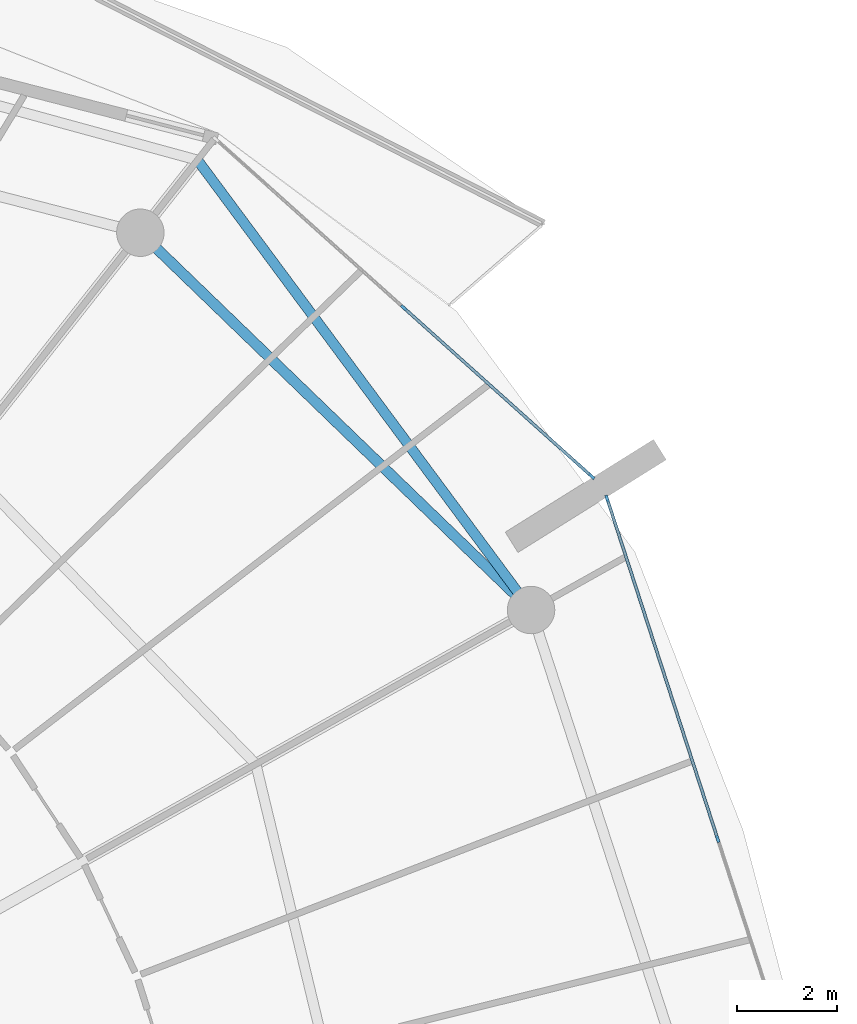
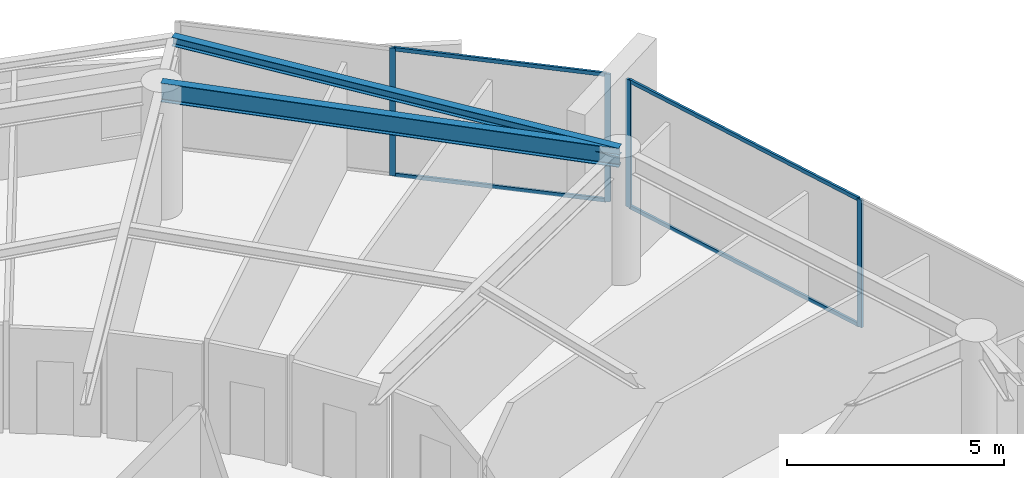
# One storey, part 15 of 30: 8 members, 2 beams, 2 elements without a shape of their own.
"""IFC4 building model written with IfcOpenShell, lengths in metres."""

import ifcopenshell
import ifcopenshell.guid

model = None  # the IFC model being written
_history = None  # IfcOwnerHistory: only IFC2X3 demands one
_inside = {}  # id of a spatial element -> (the spatial element, [elements in it])
_under = {}  # id of a project, library or spatial element -> (it, [spatial elements below it])
_declared = {}  # id of a project -> (the project, [libraries it declares])
_typed = {}  # id of a type object -> (the type object, [elements of that type])
_made_of = {}  # id of a material, layer set ... -> (it, [elements and type objects made of it])


def new_model(schema):
    """Start an empty IFC model of exactly this schema.

    Asked for "IFC4X3", IfcOpenShell would pick the latest addendum, in which some entities
    have other attributes; the version numbers below select the first issue.
    IFC2X3 requires an IfcOwnerHistory on every rooted entity: one is made here for all.
    """
    global model, _history
    if schema == "IFC4X3":
        model = ifcopenshell.file(schema_version=(4, 3, 0, 0))
    else:
        model = ifcopenshell.file(schema=schema)
    _inside.clear()
    _under.clear()
    _declared.clear()
    _typed.clear()
    _made_of.clear()
    _history = None
    if model.schema == "IFC2X3":
        org = make("IfcOrganization", Name="unknown")
        user = make(
            "IfcPersonAndOrganization",
            ThePerson=make("IfcPerson", FamilyName="unknown"),
            TheOrganization=org,
        )
        app = make(
            "IfcApplication",
            ApplicationDeveloper=org,
            Version="unknown",
            ApplicationFullName="unknown",
            ApplicationIdentifier="unknown",
        )
        _history = make(
            "IfcOwnerHistory",
            OwningUser=user,
            OwningApplication=app,
            ChangeAction="ADDED",
            CreationDate=0,
        )
    return model


def make(cls, **values):
    """One entity of the class cls with the attributes given. An attribute that is None is left unset."""
    return model.create_entity(
        cls, **{name: value for name, value in values.items() if value is not None}
    )


def rooted(cls, **values):
    """An entity with a GlobalId (a new one), such as an element, a storey or a relation."""
    return make(cls, GlobalId=ifcopenshell.guid.new(), OwnerHistory=_history, **values)


def si_unit(unit_type, name, prefix=None):
    """IfcSIUnit, for example si_unit("LENGTHUNIT", "METRE", prefix="MILLI")."""
    return make("IfcSIUnit", UnitType=unit_type, Prefix=prefix, Name=name)


def assignment(units):
    """IfcUnitAssignment: the units of a project."""
    return None if units is None else make("IfcUnitAssignment", Units=units)


def point(xyz):
    """IfcCartesianPoint."""
    return None if xyz is None else make("IfcCartesianPoint", Coordinates=xyz)


def direction(xyz):
    """IfcDirection."""
    return None if xyz is None else make("IfcDirection", DirectionRatios=xyz)


def frame(location, z_axis=None, x_axis=None):
    """IfcAxis2Placement3D, a coordinate frame: its origin and axes. An axis left out is left unset."""
    return make(
        "IfcAxis2Placement3D",
        Location=point(location),
        Axis=direction(z_axis),
        RefDirection=direction(x_axis),
    )


def frame_2d(location, x_axis=None):
    """IfcAxis2Placement2D, a coordinate frame in the plane: its origin and x axis."""
    return make(
        "IfcAxis2Placement2D", Location=point(location), RefDirection=direction(x_axis)
    )


def origin():
    """The frame at (0, 0, 0) with its axes left unset."""
    return frame((0.0, 0.0, 0.0))


def origin_2d():
    """The frame at (0, 0) in the plane with its x axis left unset."""
    return frame_2d((0.0, 0.0))


def place(relative_to, where):
    """IfcLocalPlacement: puts the frame where relative to a parent placement (None: the world)."""
    return make(
        "IfcLocalPlacement", PlacementRelTo=relative_to, RelativePlacement=where
    )


def context(
    kind, dimensions, precision=None, world=None, true_north=None, identifier=None
):
    """IfcGeometricRepresentationContext, for example the 3D "Model" context."""
    return make(
        "IfcGeometricRepresentationContext",
        ContextIdentifier=identifier,
        ContextType=kind,
        CoordinateSpaceDimension=dimensions,
        Precision=precision,
        WorldCoordinateSystem=world,
        TrueNorth=true_north,
    )


def subcontext(parent, identifier, kind, view, scale=None):
    """IfcGeometricRepresentationSubContext, for example "Body" below "Model"."""
    return make(
        "IfcGeometricRepresentationSubContext",
        ContextIdentifier=identifier,
        ContextType=kind,
        ParentContext=parent,
        TargetScale=scale,
        TargetView=view,
    )


def project(units=None, contexts=None):
    """IfcProject with its units and contexts."""
    return rooted(
        "IfcProject",
        Name="project",
        RepresentationContexts=contexts,
        UnitsInContext=assignment(units),
    )


def spatial(cls, under=None, at=None, **own):
    """A site, building, storey or space (cls), placed at a placement, below another one or the project."""
    s = rooted(cls, ObjectPlacement=at, **own)
    if under is not None:
        _under.setdefault(under.id(), (under, []))[1].append(s)
    return s


def profile(cls, at=None, kind="AREA", **sizes):
    """A parametric profile (cls). Its sizes go by their IFC names, for example OverallWidth=200.0."""
    return make(cls, ProfileType=kind, Position=at, **sizes)


def rectangle(**sizes):
    """IfcRectangleProfileDef."""
    return profile("IfcRectangleProfileDef", **sizes)


def i_section(**sizes):
    """IfcIShapeProfileDef."""
    return profile("IfcIShapeProfileDef", **sizes)


def extrude(swept, where, along, depth):
    """IfcExtrudedAreaSolid: the profile swept, set in the frame where, extruded along a direction by depth."""
    return make(
        "IfcExtrudedAreaSolid",
        SweptArea=swept,
        Position=where,
        ExtrudedDirection=direction(along),
        Depth=depth,
    )


def shape(context_of_items, identifier, shape_type, items):
    """IfcShapeRepresentation: the items that make up one representation, for example the "Body"."""
    return make(
        "IfcShapeRepresentation",
        ContextOfItems=context_of_items,
        RepresentationIdentifier=identifier,
        RepresentationType=shape_type,
        Items=items,
    )


def material(Name=None, Category=None):
    """IfcMaterial."""
    return make("IfcMaterial", Name=Name, Category=Category)


def layer(
    of_material, thickness, ventilated=None, Name=None, Category=None, Priority=None
):
    """IfcMaterialLayer: one layer of a wall or slab, of a material (None: an air gap)."""
    return make(
        "IfcMaterialLayer",
        Material=of_material,
        LayerThickness=thickness,
        IsVentilated=ventilated,
        Name=Name,
        Category=Category,
        Priority=Priority,
    )


def layer_set(layers, Name=None):
    """IfcMaterialLayerSet."""
    return make("IfcMaterialLayerSet", MaterialLayers=layers, LayerSetName=Name)


def material_profile(
    of_material, cross_section, Name=None, Category=None, Priority=None
):
    """IfcMaterialProfile: a cross section and its material."""
    return make(
        "IfcMaterialProfile",
        Name=Name,
        Material=of_material,
        Profile=cross_section,
        Priority=Priority,
        Category=Category,
    )


def profile_set(profiles, Name=None, composite=None):
    """IfcMaterialProfileSet."""
    return make(
        "IfcMaterialProfileSet",
        Name=Name,
        MaterialProfiles=profiles,
        CompositeProfile=composite,
    )


def made_of(thing, what):
    """Note that an element or type object is made of a material, layer set ...; save() writes the relation."""
    if what is not None:
        _made_of.setdefault(what.id(), (what, []))[1].append(thing)
    return thing


def type_object(cls, material=None, **own):
    """A type object (cls), such as IfcWallType, which elements share."""
    return made_of(rooted(cls, **own), material)


def element(
    cls,
    number,
    at=None,
    inside=None,
    cuts=None,
    type_object=None,
    material=None,
    context=None,
    identifier="Body",
    shape_type=None,
    held_by="IfcProductDefinitionShape",
    body=None,
    shapes=None,
    **own,
):
    """One element of the class cls, such as IfcWall. Its Tag is "e" and its number.

    at: its placement. inside: the storey or other place that contains it. cuts: it is an
    opening in that element (IfcRelVoidsElement). A single representation is given by context,
    identifier, shape_type and body (its items); several are given by shapes. held_by: the class
    of the entity that holds the representations. save() writes the other relations.
    """
    e = rooted(cls, Tag="e%d" % number, ObjectPlacement=at, **own)
    if body is not None:
        shapes = [shape(context, identifier, shape_type, body)]
    if shapes is not None:
        e.Representation = make(held_by, Representations=shapes)
    if inside is not None:
        _inside.setdefault(inside.id(), (inside, []))[1].append(e)
    if cuts is not None:
        rooted(
            "IfcRelVoidsElement", RelatingBuildingElement=cuts, RelatedOpeningElement=e
        )
    if type_object is not None:
        _typed.setdefault(type_object.id(), (type_object, []))[1].append(e)
    return made_of(e, material)


def aggregate(whole, parts):
    """IfcRelAggregates: a whole, such as a stair, and the parts it consists of."""
    return rooted("IfcRelAggregates", RelatingObject=whole, RelatedObjects=parts)


def save(model, path):
    """Write the relations noted so far, then the file.

    IfcRelAggregates (storeys below a building ...), IfcRelContainedInSpatialStructure (elements
    in a storey), IfcRelDefinesByType, IfcRelAssociatesMaterial and IfcRelDeclares: one each for
    every whole, place, type object, material and project.
    """
    for whole, parts in _under.values():
        aggregate(whole, parts)
    for where, things in _inside.values():
        rooted(
            "IfcRelContainedInSpatialStructure",
            RelatedElements=things,
            RelatingStructure=where,
        )
    for kind, things in _typed.values():
        rooted("IfcRelDefinesByType", RelatedObjects=things, RelatingType=kind)
    for what, things in _made_of.values():
        rooted("IfcRelAssociatesMaterial", RelatedObjects=things, RelatingMaterial=what)
    for by, libraries in _declared.values():
        rooted("IfcRelDeclares", RelatingContext=by, RelatedDefinitions=libraries)
    model.write(path)


model = new_model("IFC4")

# Units and contexts
model_context = context("Model", 3, precision=1e-05, world=origin(), true_north=direction((0.0, 1.0)))
body_context = subcontext(model_context, "Body", "Model", "MODEL_VIEW")
ifc_project = project(units=[si_unit("LENGTHUNIT", "METRE"), si_unit("AREAUNIT", "SQUARE_METRE"), si_unit("VOLUMEUNIT", "CUBIC_METRE"), si_unit("PLANEANGLEUNIT", "RADIAN"), si_unit("MASSUNIT", "GRAM", prefix="KILO")], contexts=[model_context])

# Site, building, storey
site_placement = place(None, origin())
site = spatial("IfcSite", under=ifc_project, at=site_placement, CompositionType="ELEMENT")
building_placement = place(site_placement, origin())
building = spatial("IfcBuilding", under=site, at=building_placement, Name="Kazma Halo Residences", CompositionType="ELEMENT")
storey_placement = place(building_placement, frame((0.0, 0.0, 236.699951171875)))
storey = spatial("IfcBuildingStorey", under=building, at=storey_placement, Name="L59", CompositionType="ELEMENT", Elevation=236.699951171875)

# Beams
ifc_material_1 = material(Name="Steel S355", Category="steel")
ifc_material_profile_1 = material_profile(ifc_material_1, i_section(OverallWidth=0.201904296875, OverallDepth=0.2470703125, WebThickness=0.00732421875, FlangeThickness=0.010986328125, FilletRadius=0.011962890625, at=origin_2d()), Name="W250x49.1")
ifc_profile_set_1 = profile_set([ifc_material_profile_1], Name="Steel S355")
beam_type_1 = type_object("IfcBeamType", Name="BM-BAL-CANT", PredefinedType="BEAM", material=ifc_profile_set_1)
beam_1_placement = place(storey_placement, frame((72.67041015625, 55.81591796875, 3.466552734375), z_axis=(-0.595556062515, 0.803313747176, 0.0), x_axis=(-0.803313747176, -0.595556062515, 0.0)))
element("IfcBeam", 1, at=beam_1_placement, inside=storey, type_object=beam_type_1, Name="L59 wave-balcony lead tie beam 01", PredefinedType="BEAM", context=body_context, shape_type="SweptSolid", body=[
    extrude(i_section(OverallWidth=0.201904296875, OverallDepth=0.2470703125, WebThickness=0.00732421875, FlangeThickness=0.010986328125, FilletRadius=0.011962890625, at=origin_2d()), origin(), (0.0, 0.0, 1.0), 11.213134765625),
])
ifc_material_profile_2 = material_profile(ifc_material_1, i_section(OverallWidth=0.208984375, OverallDepth=0.532958984375, WebThickness=0.01025390625, FlangeThickness=0.015625, FilletRadius=0.01611328125, at=origin_2d()), Name="W530x92")
ifc_profile_set_2 = profile_set([ifc_material_profile_2], Name="Steel S355")
beam_type_2 = type_object("IfcBeamType", Name="BM-SPN-W530", PredefinedType="BEAM", material=ifc_profile_set_2)
beam_2_placement = place(storey_placement, frame((72.67041015625, 55.81591796875, 3.323486328125), z_axis=(-0.719345757929, 0.694652201141, 0.0), x_axis=(-0.694652201141, -0.719345757929, 0.0)))
element("IfcBeam", 2, at=beam_2_placement, inside=storey, type_object=beam_type_2, Name="L59 perimeter ring beam 01", PredefinedType="BEAM", context=body_context, shape_type="SweptSolid", body=[
    extrude(i_section(OverallWidth=0.208984375, OverallDepth=0.532958984375, WebThickness=0.01025390625, FlangeThickness=0.015625, FilletRadius=0.01611328125, at=origin_2d()), origin(), (0.0, 0.0, 1.0), 10.87548828125),
])

# Curtain wall, members
ifc_material_2 = material(Name="Aluminium AW-6063 T6 and Triple-Silver Low-E Glass", Category="aluminium")
ifc_layer = layer(ifc_material_2, 0.139892578125)
ifc_layer_set = layer_set([ifc_layer], Name="Aluminium AW-6063 T6 and Triple-Silver Low-E Glass")
curtain_wall_type = type_object("IfcCurtainWallType", Name="CW-SYS-5", PredefinedType="NOTDEFINED", material=ifc_layer_set)
curtain_wall_1_placement = place(storey_placement, origin())
curtain_wall_1 = element("IfcCurtainWall", 3, at=curtain_wall_1_placement, inside=storey, type_object=curtain_wall_type, Name="L59 unitised curtain wall B01", PredefinedType="NOTDEFINED")
ifc_material_3 = material(Name="Aluminium AW-6063 T6", Category="aluminium")
ifc_material_profile_3 = material_profile(ifc_material_3, rectangle(XDim=0.06005859375, YDim=0.139892578125, at=origin_2d()), Name="CWM-60x140")
ifc_profile_set_3 = profile_set([ifc_material_profile_3], Name="Aluminium AW-6063 T6")
member_type_1 = type_object("IfcMemberType", Name="CW-SYS-5-MUL", PredefinedType="MULLION", material=ifc_profile_set_3)
member_1_placement = place(storey_placement, frame((73.88330078125, 58.491943359375, 0.0), z_axis=(0.0, 0.0, 1.0), x_axis=(-0.667804826958, -0.744336424671, 0.0)))
member_1 = element("IfcMember", 4, at=member_1_placement, type_object=member_type_1, Name="CWS-5 mullion 1", PredefinedType="MULLION", context=body_context, shape_type="SweptSolid", body=[
    extrude(rectangle(XDim=0.06005859375, YDim=0.139892578125, at=origin_2d()), origin(), (0.0, 0.0, 1.0), 3.590087890625),
])
member_2_placement = place(storey_placement, frame((70.121826171875, 61.86669921875, 0.0), z_axis=(0.0, 0.0, 1.0), x_axis=(-0.667804826958, -0.744336424671, 0.0)))
member_2 = element("IfcMember", 5, at=member_2_placement, type_object=member_type_1, Name="CWS-5 mullion 2", PredefinedType="MULLION", context=body_context, shape_type="SweptSolid", body=[
    extrude(rectangle(XDim=0.06005859375, YDim=0.139892578125, at=origin_2d()), origin(), (0.0, 0.0, 1.0), 3.590087890625),
])

curtain_wall_2_placement = place(storey_placement, origin())
curtain_wall_2 = element("IfcCurtainWall", 6, at=curtain_wall_2_placement, inside=storey, type_object=curtain_wall_type, Name="L59 unitised curtain wall B16", PredefinedType="NOTDEFINED")
member_3_placement = place(storey_placement, frame((76.40771484375, 51.230224609375, 0.0), z_axis=(0.0, 0.0, 1.0), x_axis=(-0.951058464359, -0.309010998786, 0.0)))
member_3 = element("IfcMember", 7, at=member_3_placement, type_object=member_type_1, Name="CWS-5 mullion 2", PredefinedType="MULLION", context=body_context, shape_type="SweptSolid", body=[
    extrude(rectangle(XDim=0.06005859375, YDim=0.139892578125, at=origin_2d()), origin(), (0.0, 0.0, 1.0), 3.590087890625),
])
member_4_placement = place(storey_placement, frame((74.1923828125, 58.0478515625, 0.0), z_axis=(0.0, 0.0, 1.0), x_axis=(-0.951058464359, -0.309010998786, 0.0)))
member_4 = element("IfcMember", 8, at=member_4_placement, type_object=member_type_1, Name="CWS-5 mullion 3", PredefinedType="MULLION", context=body_context, shape_type="SweptSolid", body=[
    extrude(rectangle(XDim=0.06005859375, YDim=0.139892578125, at=origin_2d()), origin(), (0.0, 0.0, 1.0), 3.590087890625),
])

# Member
ifc_material_profile_4 = material_profile(ifc_material_3, rectangle(XDim=0.06005859375, YDim=0.10498046875, at=origin_2d()), Name="CWT-60x105")
ifc_profile_set_4 = profile_set([ifc_material_profile_4], Name="Aluminium AW-6063 T6")
member_type_2 = type_object("IfcMemberType", Name="CW-SYS-5-TRN", PredefinedType="USERDEFINED", material=ifc_profile_set_4)
member_5_placement = place(storey_placement, frame((73.861083984375, 58.511962890625, 0.030029296875), z_axis=(-0.744328897483, 0.667813216679, 0.0), x_axis=(-0.667813216679, -0.744328897483, 0.0)))
member_5 = element("IfcMember", 9, at=member_5_placement, type_object=member_type_2, Name="CWS-5 transom 1.1", ObjectType="TRANSOM", PredefinedType="USERDEFINED", context=body_context, shape_type="SweptSolid", body=[
    extrude(rectangle(XDim=0.06005859375, YDim=0.10498046875, at=origin_2d()), origin(), (0.0, 0.0, 1.0), 4.993408203125),
])

member_6_placement = place(storey_placement, frame((73.861083984375, 58.511962890625, 3.56005859375), z_axis=(-0.744328897483, 0.667813216679, 0.0), x_axis=(-0.667813216679, -0.744328897483, 0.0)))
member_6 = element("IfcMember", 10, at=member_6_placement, type_object=member_type_2, Name="CWS-5 transom 1.2", ObjectType="TRANSOM", PredefinedType="USERDEFINED", context=body_context, shape_type="SweptSolid", body=[
    extrude(rectangle(XDim=0.06005859375, YDim=0.10498046875, at=origin_2d()), origin(), (0.0, 0.0, 1.0), 4.993408203125),
])

aggregate(curtain_wall_1, [member_1, member_2, member_5, member_6])

member_7_placement = place(storey_placement, frame((76.3984375, 51.2587890625, 0.030029296875), z_axis=(-0.309027052142, 0.95105324827, 0.0), x_axis=(-0.95105324827, -0.309027052142, 0.0)))
member_7 = element("IfcMember", 11, at=member_7_placement, type_object=member_type_2, Name="CWS-5 transom 2.1", ObjectType="TRANSOM", PredefinedType="USERDEFINED", context=body_context, shape_type="SweptSolid", body=[
    extrude(rectangle(XDim=0.06005859375, YDim=0.10498046875, at=origin_2d()), origin(), (0.0, 0.0, 1.0), 7.108642578125),
])

member_8_placement = place(storey_placement, frame((76.3984375, 51.2587890625, 3.56005859375), z_axis=(-0.309027052142, 0.95105324827, 0.0), x_axis=(-0.95105324827, -0.309027052142, 0.0)))
member_8 = element("IfcMember", 12, at=member_8_placement, type_object=member_type_2, Name="CWS-5 transom 2.2", ObjectType="TRANSOM", PredefinedType="USERDEFINED", context=body_context, shape_type="SweptSolid", body=[
    extrude(rectangle(XDim=0.06005859375, YDim=0.10498046875, at=origin_2d()), origin(), (0.0, 0.0, 1.0), 7.108642578125),
])

aggregate(curtain_wall_2, [member_3, member_4, member_7, member_8])

save(model, "model.ifc")
